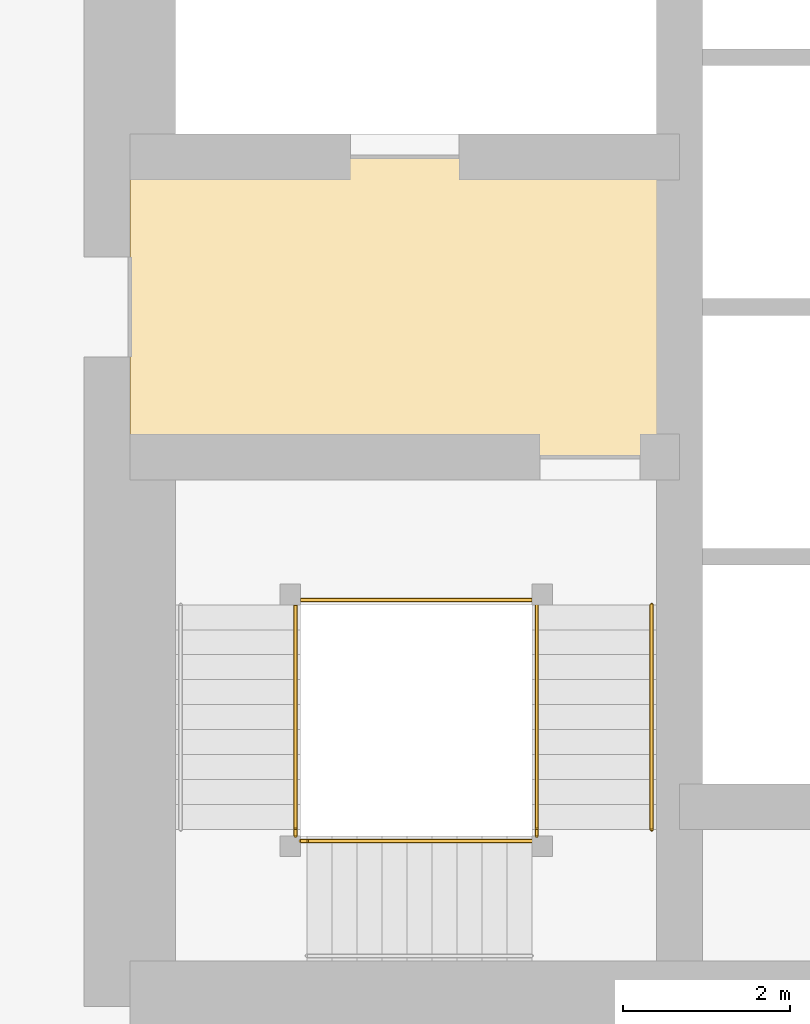
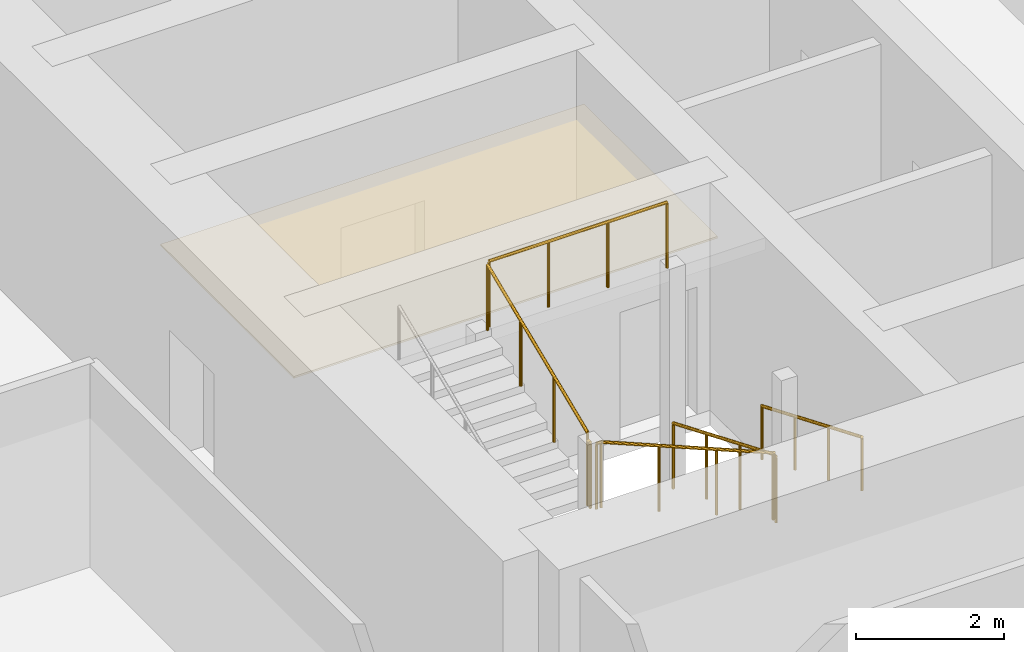
# One storey, part 38 of 45: 8 railings, 1 covering.
"""IFC4 building model written with IfcOpenShell, lengths in metres."""

from ifc_helpers import new_model, si_unit, direction, frame, origin, origin_2d, place, context, subcontext, project, spatial, polyline, circle, outline, extrude, material, layer, layer_set, type_object, element, save


model = new_model("IFC4")

# Units and contexts
model_context = context("Model", 3, precision=1e-05, world=origin(), true_north=direction((0.0, 1.0)))
body_context = subcontext(model_context, "Body", "Model", "MODEL_VIEW")
ifc_project = project(units=[si_unit("LENGTHUNIT", "METRE"), si_unit("AREAUNIT", "SQUARE_METRE"), si_unit("VOLUMEUNIT", "CUBIC_METRE"), si_unit("PLANEANGLEUNIT", "RADIAN"), si_unit("MASSUNIT", "GRAM", prefix="KILO")], contexts=[model_context])

# Site, building, storey
site_placement = place(None, origin())
site = spatial("IfcSite", under=ifc_project, at=site_placement, CompositionType="ELEMENT")
building_placement = place(site_placement, origin())
building = spatial("IfcBuilding", under=site, at=building_placement, Name="Rekha Terrace Tower", CompositionType="ELEMENT")
storey_placement = place(building_placement, frame((0.0, 0.0, 36.64990234375)))
storey = spatial("IfcBuildingStorey", under=building, at=storey_placement, Name="L08", CompositionType="ELEMENT", Elevation=36.64990234375)

# Covering
ifc_material_1 = material(Name="Powder-coated aluminium pan", Category="aluminium")
ifc_layer = layer(ifc_material_1, 0.030029296875)
ifc_layer_set = layer_set([ifc_layer], Name="Powder-coated aluminium pan")
covering_type = type_object("IfcCoveringType", Name="CL3 300x1200 metal pan ceiling", PredefinedType="CEILING", material=ifc_layer_set)
covering_placement = place(storey_placement, frame((0.0, 0.0, 2.570068359375)))
element("IfcCovering", 1, at=covering_placement, inside=storey, type_object=covering_type, Name="Ceiling L08-FLB1", PredefinedType="CEILING", context=body_context, shape_type="SweptSolid", body=[
    extrude(outline(polyline([(31.800048828125, 31.199951171875), (25.199951171875, 31.199951171875), (25.199951171875, 27.60009765625), (31.800048828125, 27.60009765625), (31.800048828125, 31.199951171875)])), origin(), (0.0, 0.0, 1.0), 0.030029296875),
])

# Railings
ifc_material_2 = material(Name="Stainless steel balustrade", Category="steel")
railing_type_1 = type_object("IfcRailingType", Name="GR1 1100 stair guard", PredefinedType="GUARDRAIL", material=ifc_material_2)
railing_1_placement = place(storey_placement, frame((30.0849609375, 25.824951171875, 0.125)))
element("IfcRailing", 2, at=railing_1_placement, inside=storey, type_object=railing_type_1, Name="Guard ST1 L08 flight 1", PredefinedType="GUARDRAIL", context=body_context, shape_type="SweptSolid", body=[
    extrude(circle(Radius=0.02392578125, at=origin_2d()), frame((0.0, 0.0, 1.076171875), z_axis=(0.0, -0.923074453586, 0.384621311341), x_axis=(1.0, 0.0, 0.0)), (0.0, 0.0, 1.0), 2.925048828125),
    extrude(circle(Radius=0.02099609375, at=origin_2d()), origin(), (0.0, 0.0, 1.0), 1.052001953125),
    extrude(circle(Radius=0.02099609375, at=origin_2d()), frame((0.0, -0.89990234375, 0.375)), (0.0, 0.0, 1.0), 1.052001953125),
    extrude(circle(Radius=0.02099609375, at=origin_2d()), frame((0.0, -1.800048828125, 0.75)), (0.0, 0.0, 1.0), 1.052001953125),
    extrude(circle(Radius=0.02099609375, at=origin_2d()), frame((0.0, -2.699951171875, 1.125)), (0.0, 0.0, 1.0), 1.052001953125),
])
railing_2_placement = place(storey_placement, frame((30.02490234375, 22.989990234375, 1.375)))
element("IfcRailing", 3, at=railing_2_placement, inside=storey, type_object=railing_type_1, Name="Guard ST1 L08 flight 2", PredefinedType="GUARDRAIL", context=body_context, shape_type="SweptSolid", body=[
    extrude(circle(Radius=0.02392578125, at=origin_2d()), frame((0.0, 0.0, 1.076171875), z_axis=(-0.923074453586, 0.0, 0.384621311341), x_axis=(0.0, -1.0, 0.0)), (0.0, 0.0, 1.0), 2.925048828125),
    extrude(circle(Radius=0.02099609375, at=origin_2d()), origin(), (0.0, 0.0, 1.0), 1.052001953125),
    extrude(circle(Radius=0.02099609375, at=origin_2d()), frame((-0.89990234375, 0.0, 0.375)), (0.0, 0.0, 1.0), 1.052001953125),
    extrude(circle(Radius=0.02099609375, at=origin_2d()), frame((-1.800048828125, 0.0, 0.75)), (0.0, 0.0, 1.0), 1.052001953125),
    extrude(circle(Radius=0.02099609375, at=origin_2d()), frame((-2.699951171875, 0.0, 1.125)), (0.0, 0.0, 1.0), 1.052001953125),
])
railing_3_placement = place(storey_placement, frame((27.18994140625, 23.125, 2.625)))
element("IfcRailing", 4, at=railing_3_placement, inside=storey, type_object=railing_type_1, Name="Guard ST1 L08 flight 3", PredefinedType="GUARDRAIL", context=body_context, shape_type="SweptSolid", body=[
    extrude(circle(Radius=0.02392578125, at=origin_2d()), frame((0.0, 0.0, 1.076171875), z_axis=(0.0, 0.923074453586, 0.384621311341), x_axis=(-1.0, 0.0, 0.0)), (0.0, 0.0, 1.0), 2.925048828125),
    extrude(circle(Radius=0.02099609375, at=origin_2d()), origin(), (0.0, 0.0, 1.0), 1.052001953125),
    extrude(circle(Radius=0.02099609375, at=origin_2d()), frame((0.0, 0.89990234375, 0.375)), (0.0, 0.0, 1.0), 1.052001953125),
    extrude(circle(Radius=0.02099609375, at=origin_2d()), frame((0.0, 1.800048828125, 0.75)), (0.0, 0.0, 1.0), 1.052001953125),
    extrude(circle(Radius=0.02099609375, at=origin_2d()), frame((0.0, 2.699951171875, 1.125)), (0.0, 0.0, 1.0), 1.052001953125),
])
railing_4_placement = place(storey_placement, frame((30.0849609375, 23.125, 1.25)))
element("IfcRailing", 5, at=railing_4_placement, inside=storey, type_object=railing_type_1, Name="Guard ST1 L08 landing 1", PredefinedType="GUARDRAIL", context=body_context, shape_type="SweptSolid", body=[
    extrude(circle(Radius=0.02392578125, at=origin_2d()), frame((0.0, 0.0, 1.076171875), z_axis=(0.0, -1.0, 0.0), x_axis=(1.0, 0.0, 0.0)), (0.0, 0.0, 1.0), 0.074951171875),
    extrude(circle(Radius=0.02099609375, at=origin_2d()), origin(), (0.0, 0.0, 1.0), 1.052001953125),
    extrude(circle(Radius=0.02099609375, at=origin_2d()), frame((0.0, -0.074951171875, 0.0)), (0.0, 0.0, 1.0), 1.052001953125),
])
railing_5_placement = place(storey_placement, frame((27.324951171875, 22.989990234375, 2.5)))
element("IfcRailing", 6, at=railing_5_placement, inside=storey, type_object=railing_type_1, Name="Guard ST1 L08 landing 2", PredefinedType="GUARDRAIL", context=body_context, shape_type="SweptSolid", body=[
    extrude(circle(Radius=0.02392578125, at=origin_2d()), frame((0.0, 0.0, 1.076171875), z_axis=(-1.0, 0.0, 0.0), x_axis=(0.0, -1.0, 0.0)), (0.0, 0.0, 1.0), 0.074951171875),
    extrude(circle(Radius=0.02099609375, at=origin_2d()), origin(), (0.0, 0.0, 1.0), 1.052001953125),
    extrude(circle(Radius=0.02099609375, at=origin_2d()), frame((-0.074951171875, 0.0, 0.0)), (0.0, 0.0, 1.0), 1.052001953125),
])
railing_6_placement = place(storey_placement, frame((27.18994140625, 23.125, 2.5)))
element("IfcRailing", 7, at=railing_6_placement, inside=storey, type_object=railing_type_1, Name="Guard ST1 L08 landing 3", PredefinedType="GUARDRAIL", context=body_context, shape_type="SweptSolid", body=[
    extrude(circle(Radius=0.02392578125, at=origin_2d()), frame((0.0, 0.0, 1.076171875), z_axis=(0.0, -1.0, 0.0), x_axis=(1.0, 0.0, 0.0)), (0.0, 0.0, 1.0), 0.074951171875),
    extrude(circle(Radius=0.02099609375, at=origin_2d()), origin(), (0.0, 0.0, 1.0), 1.052001953125),
    extrude(circle(Radius=0.02099609375, at=origin_2d()), frame((0.0, -0.074951171875, 0.0)), (0.0, 0.0, 1.0), 1.052001953125),
])
railing_7_placement = place(storey_placement, frame((30.02490234375, 25.885009765625, 3.75)))
element("IfcRailing", 8, at=railing_7_placement, inside=storey, type_object=railing_type_1, Name="Guard ST1 L08 landing 4", PredefinedType="GUARDRAIL", context=body_context, shape_type="SweptSolid", body=[
    extrude(circle(Radius=0.02392578125, at=origin_2d()), frame((0.0, 0.0, 1.076171875), z_axis=(-1.0, 0.0, 0.0), x_axis=(0.0, -1.0, 0.0)), (0.0, 0.0, 1.0), 2.77490234375),
    extrude(circle(Radius=0.02099609375, at=origin_2d()), origin(), (0.0, 0.0, 1.0), 1.052001953125),
    extrude(circle(Radius=0.02099609375, at=origin_2d()), frame((-0.925048828125, 0.0, 0.0)), (0.0, 0.0, 1.0), 1.052001953125),
    extrude(circle(Radius=0.02099609375, at=origin_2d()), frame((-1.849853515625, 0.0, 0.0)), (0.0, 0.0, 1.0), 1.052001953125),
    extrude(circle(Radius=0.02099609375, at=origin_2d()), frame((-2.77490234375, 0.0, 0.0)), (0.0, 0.0, 1.0), 1.052001953125),
])
ifc_material_3 = material(Name="Stainless steel tube", Category="steel")
railing_type_2 = type_object("IfcRailingType", Name="HR1 900 stair handrail", PredefinedType="HANDRAIL", material=ifc_material_3)
railing_8_placement = place(storey_placement, frame((31.465087890625, 25.824951171875, 0.125)))
element("IfcRailing", 9, at=railing_8_placement, inside=storey, type_object=railing_type_2, Name="Handrail ST1 L08 flight 1", PredefinedType="HANDRAIL", context=body_context, shape_type="SweptSolid", body=[
    extrude(circle(Radius=0.02392578125, at=origin_2d()), frame((0.0, 0.0, 0.8759765625), z_axis=(0.0, -0.923074453586, 0.384621311341), x_axis=(1.0, 0.0, 0.0)), (0.0, 0.0, 1.0), 2.925048828125),
    extrude(circle(Radius=0.02099609375, at=origin_2d()), origin(), (0.0, 0.0, 1.0), 0.851806640625),
    extrude(circle(Radius=0.02099609375, at=origin_2d()), frame((0.0, -0.89990234375, 0.375)), (0.0, 0.0, 1.0), 0.851806640625),
    extrude(circle(Radius=0.02099609375, at=origin_2d()), frame((0.0, -1.800048828125, 0.75)), (0.0, 0.0, 1.0), 0.851806640625),
    extrude(circle(Radius=0.02099609375, at=origin_2d()), frame((0.0, -2.699951171875, 1.125)), (0.0, 0.0, 1.0), 0.851806640625),
])

save(model, "model.ifc")
